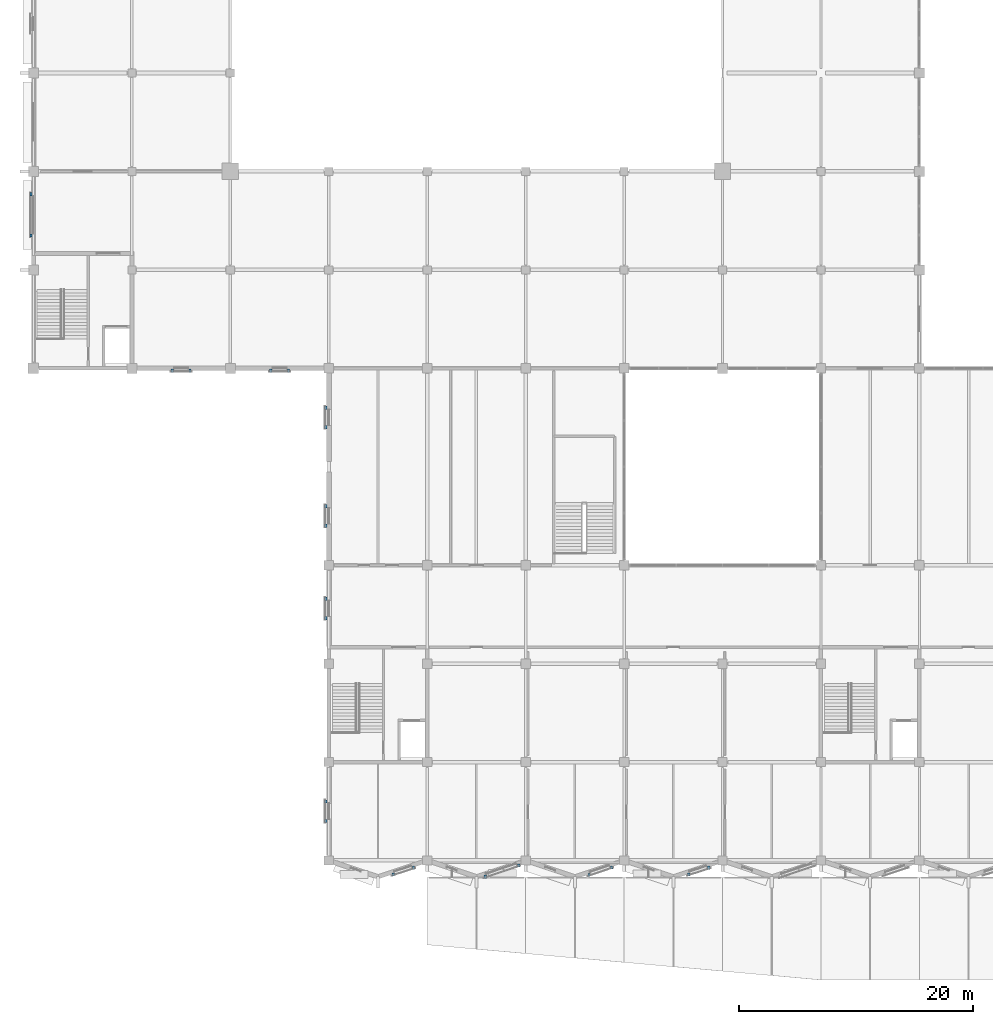
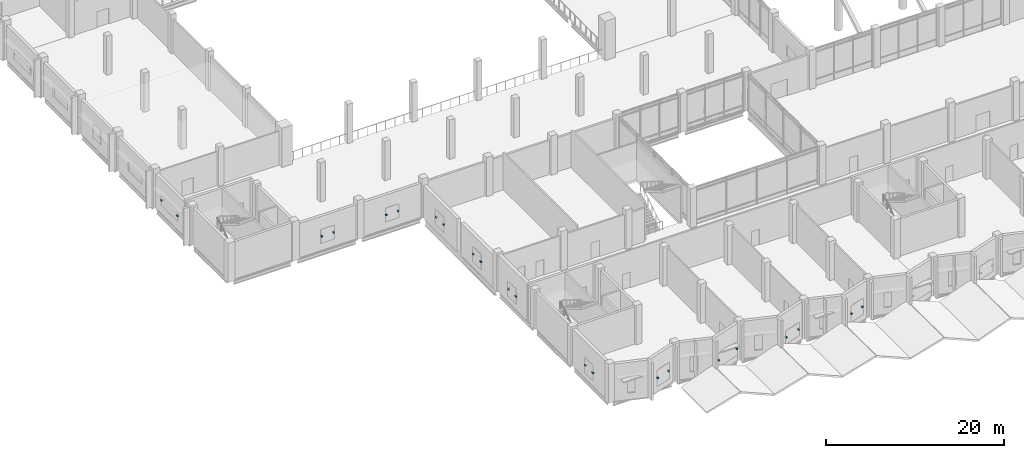
# One storey, part 63 of 72: 22 discrete accessories.
"""IFC4 building model written with IfcOpenShell, lengths in metres."""

from ifc_helpers import new_model, si_unit, direction, frame, origin, origin_2d, place, context, subcontext, project, spatial, rectangle, extrude, material, type_object, element, save


model = new_model("IFC4")

# Units and contexts
model_context = context("Model", 3, precision=1e-05, world=origin(), true_north=direction((0.0, 1.0)))
body_context = subcontext(model_context, "Body", "Model", "MODEL_VIEW")
ifc_project = project(units=[si_unit("LENGTHUNIT", "METRE"), si_unit("AREAUNIT", "SQUARE_METRE"), si_unit("VOLUMEUNIT", "CUBIC_METRE"), si_unit("PLANEANGLEUNIT", "RADIAN"), si_unit("MASSUNIT", "GRAM", prefix="KILO")], contexts=[model_context])

# Site, building, storey
site_placement = place(None, origin())
site = spatial("IfcSite", under=ifc_project, at=site_placement, CompositionType="ELEMENT")
building_placement = place(site_placement, origin())
building = spatial("IfcBuilding", under=site, at=building_placement, Name="Qawsi Khor Wholesale Market", CompositionType="ELEMENT")
storey_placement = place(building_placement, frame((0.0, 0.0, 6.0)))
storey = spatial("IfcBuildingStorey", under=building, at=storey_placement, Name="L01", CompositionType="ELEMENT", Elevation=6.0)

# Discrete accessories
ifc_material = material(Name="Steel S355", Category="steel")
discrete_accessory_type = type_object("IfcDiscreteAccessoryType", Name="Screen Fixing Bracket Steel S355", PredefinedType="BRACKET", material=ifc_material)
for number, where, z_axis, x_axis, name in (
    (1, (32.43505859375, -0.62548828125, 1.875), (0.0, 0.0, 1.0), (1.0, 0.0, 0.0), "Screen bracket 001-1"),
    (2, (30.70849609375, -1.200927734375, 1.875), (0.0, 0.0, 1.0), (1.0, 0.0, 0.0), "Screen bracket 001-2"),
    (3, (41.404296875, -0.435791015625, 1.6748046875), (0.0, 0.0, 1.0), (1.0, 0.0, 0.0), "Screen bracket 002-1"),
    (4, (38.539306640625, -1.390869140625, 1.6748046875), (0.0, 0.0, 1.0), (1.0, 0.0, 0.0), "Screen bracket 002-2"),
    (5, (49.33935546875, -0.5908203125, 1.64990234375), (0.0, 0.0, 1.0), (1.0, 0.0, 0.0), "Screen bracket 003-1"),
    (6, (47.404052734375, -1.23583984375, 1.64990234375), (0.0, 0.0, 1.0), (1.0, 0.0, 0.0), "Screen bracket 003-2"),
    (7, (57.635009765625, -0.62548828125, 1.875), (0.0, 0.0, 1.0), (1.0, 0.0, 0.0), "Screen bracket 004-1"),
    (8, (55.908447265625, -1.200927734375, 1.875), (0.0, 0.0, 1.0), (1.0, 0.0, 0.0), "Screen bracket 004-2"),
    (9, (24.945068359375, 3.364990234375, 1.8251953125), (0.0, 0.0, 1.0), (1.0, 0.0, 0.0), "Screen bracket 056-1"),
    (10, (24.945068359375, 5.034912109375, 1.8251953125), (0.0, 0.0, 1.0), (1.0, 0.0, 0.0), "Screen bracket 056-2"),
    (11, (24.945068359375, 20.6650390625, 1.8251953125), (0.0, 0.0, 1.0), (1.0, 0.0, 0.0), "Screen bracket 057-1"),
    (12, (24.945068359375, 22.3349609375, 1.8251953125), (0.0, 0.0, 1.0), (1.0, 0.0, 0.0), "Screen bracket 057-2"),
    (13, (24.945068359375, 28.56494140625, 1.8251953125), (0.0, 0.0, 1.0), (1.0, 0.0, 0.0), "Screen bracket 058-1"),
    (14, (24.945068359375, 30.235107421875, 1.8251953125), (0.0, 0.0, 1.0), (1.0, 0.0, 0.0), "Screen bracket 058-2"),
    (15, (24.945068359375, 36.965087890625, 1.8251953125), (0.0, 0.0, 1.0), (1.0, 0.0, 0.0), "Screen bracket 059-1"),
    (16, (24.945068359375, 38.635009765625, 1.8251953125), (0.0, 0.0, 1.0), (1.0, 0.0, 0.0), "Screen bracket 059-2"),
    (17, (-0.215087890625, 53.324951171875, 1.89990234375), (0.0, 0.0, 1.0), (1.0, 0.0, 0.0), "Screen bracket 071-1"),
    (18, (-0.215087890625, 56.844970703125, 1.89990234375), (0.0, 0.0, 1.0), (1.0, 0.0, 0.0), "Screen bracket 071-2"),
    (19, (13.360107421875, 41.784912109375, 1.89990234375), (0.0, 0.0, 1.0), (1.0, 0.0, 0.0), "Screen bracket 074-1"),
    (20, (11.840087890625, 41.784912109375, 1.89990234375), (0.0, 0.0, 1.0), (1.0, 0.0, 0.0), "Screen bracket 074-2"),
    (21, (21.760009765625, 41.784912109375, 1.89990234375), (0.0, 0.0, 1.0), (1.0, 0.0, 0.0), "Screen bracket 075-1"),
    (22, (20.239990234375, 41.784912109375, 1.89990234375), (0.0, 0.0, 1.0), (1.0, 0.0, 0.0), "Screen bracket 075-2"),
):
    element("IfcDiscreteAccessory", number, at=place(storey_placement, frame(where, z_axis=z_axis, x_axis=x_axis)), inside=storey, type_object=discrete_accessory_type, Name=name, PredefinedType="BRACKET", context=body_context, shape_type="SweptSolid", body=[
        extrude(rectangle(XDim=0.199951171875, YDim=0.280029296875, at=origin_2d()), origin(), (0.0, 0.0, 1.0), 0.199951171875),
    ])

save(model, "model.ifc")
